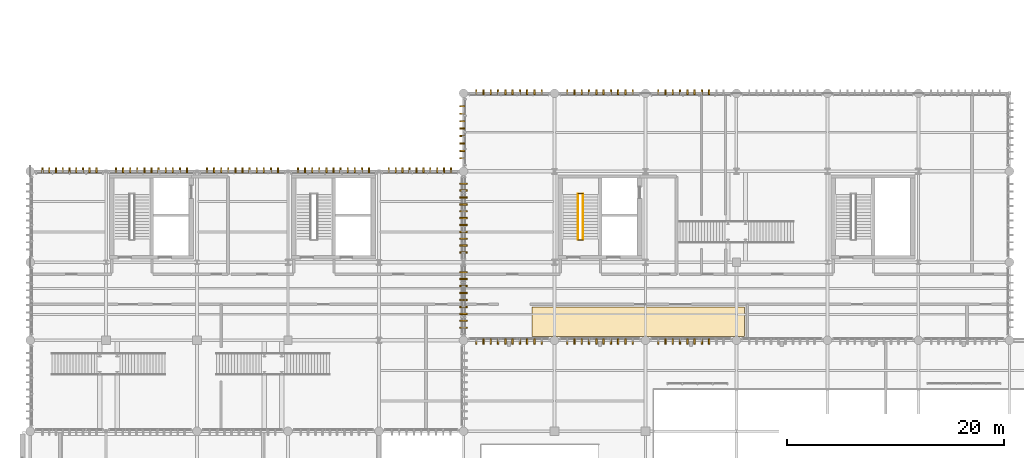
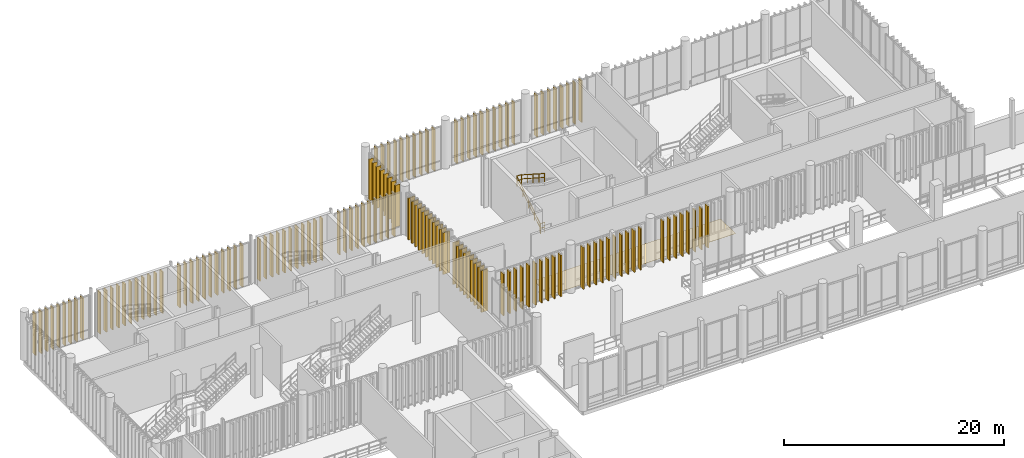
# One storey, part 121 of 128: 157 coverings, 4 railings.
"""IFC4 building model written with IfcOpenShell, lengths in metres."""

from ifc_helpers import new_model, si_unit, direction, frame, frame_2d, origin_with_axes, origin_2d_with_axis, place, context, subcontext, project, spatial, polyline, rectangle, circle, outline, extrude, material, type_object, element, save


model = new_model("IFC4")

# Units and contexts
model_context = context("Model", 3, precision=1e-05, world=origin_with_axes(), true_north=direction((0.0, 1.0)))
body_context = subcontext(model_context, "Body", "Model", "MODEL_VIEW")
ifc_project = project(units=[si_unit("LENGTHUNIT", "METRE"), si_unit("AREAUNIT", "SQUARE_METRE"), si_unit("VOLUMEUNIT", "CUBIC_METRE"), si_unit("PLANEANGLEUNIT", "RADIAN"), si_unit("MASSUNIT", "GRAM", prefix="KILO"), si_unit("THERMODYNAMICTEMPERATUREUNIT", "KELVIN")], contexts=[model_context])

# Site, building, storey
site_placement = place(None, origin_with_axes())
site = spatial("IfcSite", under=ifc_project, at=site_placement, CompositionType="ELEMENT")
building_placement = place(site_placement, origin_with_axes())
building = spatial("IfcBuilding", under=site, at=building_placement, Name="Montbau Bow Law Courts", CompositionType="ELEMENT")
storey_placement = place(building_placement, frame((0.0, 0.0, 5.4), z_axis=(0.0, 0.0, 1.0), x_axis=(1.0, 0.0, 0.0)))
storey = spatial("IfcBuildingStorey", under=building, at=storey_placement, Name="L01", CompositionType="ELEMENT", Elevation=5.4)

# Coverings
ifc_material_1 = material(Name="Honed Manitoba Tyndall Limestone Concourse Flooring", Category="masonry")
covering_type_1 = type_object("IfcCoveringType", Name="CV-FLR-01", PredefinedType="FLOORING", material=ifc_material_1)
covering_placement = place(None, frame((0.0, 0.0, 5.4), z_axis=(0.0, 0.0, 1.0), x_axis=(1.0, 0.0, 0.0)))
element("IfcCovering", 1, at=covering_placement, inside=storey, type_object=covering_type_1, Name="FLR-L01-04:cov_3539", PredefinedType="FLOORING", context=body_context, shape_type="SweptSolid", body=[
    extrude(outline(polyline([(53.11, 39.37), (53.11, 42.09), (72.759, 42.09), (72.759, 39.37), (53.11, 39.37)])), origin_with_axes(), (0.0, 0.0, 1.0), 0.025),
])
ifc_material_2 = material(Name="Freeze-Thaw Glazed Warm Cream Ceramic Vertical Louvre", Category="masonry")
covering_type_2 = type_object("IfcCoveringType", Name="CV-LVR-CRM", PredefinedType="CLADDING", material=ifc_material_2)
for number, where, z_axis, x_axis, name in (
    (2, (47.985, 39.13, 5.4), (-1.0, 0.0, 0.0), (0.0, -1.0, 0.0), "CLV-L01-1241:cov_1286"),
    (3, (48.655, 39.13, 5.4), (-1.0, 0.0, 0.0), (0.0, -1.0, 0.0), "CLV-L01-1242:cov_1287"),
    (4, (49.325, 39.13, 5.4), (-1.0, 0.0, 0.0), (0.0, -1.0, 0.0), "CLV-L01-1243:cov_1288"),
    (5, (49.995, 39.13, 5.4), (-1.0, 0.0, 0.0), (0.0, -1.0, 0.0), "CLV-L01-1244:cov_1289"),
    (6, (50.665, 39.13, 5.4), (-1.0, 0.0, 0.0), (0.0, -1.0, 0.0), "CLV-L01-1245:cov_1290"),
    (7, (51.335, 39.13, 5.4), (-1.0, 0.0, 0.0), (0.0, -1.0, 0.0), "CLV-L01-1246:cov_1291"),
    (8, (52.005, 39.13, 5.4), (-1.0, 0.0, 0.0), (0.0, -1.0, 0.0), "CLV-L01-1247:cov_1292"),
    (9, (52.675, 39.13, 5.4), (-1.0, 0.0, 0.0), (0.0, -1.0, 0.0), "CLV-L01-1248:cov_1293"),
    (10, (53.345, 39.13, 5.4), (-1.0, 0.0, 0.0), (0.0, -1.0, 0.0), "CLV-L01-1249:cov_1294"),
    (11, (54.015, 39.13, 5.4), (-1.0, 0.0, 0.0), (0.0, -1.0, 0.0), "CLV-L01-1250:cov_1295"),
    (12, (56.385, 39.13, 5.4), (-1.0, 0.0, 0.0), (0.0, -1.0, 0.0), "CLV-L01-1251:cov_1296"),
    (13, (57.055, 39.13, 5.4), (-1.0, 0.0, 0.0), (0.0, -1.0, 0.0), "CLV-L01-1252:cov_1297"),
    (14, (57.725, 39.13, 5.4), (-1.0, 0.0, 0.0), (0.0, -1.0, 0.0), "CLV-L01-1253:cov_1298"),
    (15, (58.395, 39.13, 5.4), (-1.0, 0.0, 0.0), (0.0, -1.0, 0.0), "CLV-L01-1254:cov_1299"),
    (16, (59.065, 39.13, 5.4), (-1.0, 0.0, 0.0), (0.0, -1.0, 0.0), "CLV-L01-1255:cov_1300"),
    (17, (59.735, 39.13, 5.4), (-1.0, 0.0, 0.0), (0.0, -1.0, 0.0), "CLV-L01-1256:cov_1301"),
    (18, (60.405, 39.13, 5.4), (-1.0, 0.0, 0.0), (0.0, -1.0, 0.0), "CLV-L01-1257:cov_1302"),
    (19, (61.075, 39.13, 5.4), (-1.0, 0.0, 0.0), (0.0, -1.0, 0.0), "CLV-L01-1258:cov_1303"),
    (20, (61.745, 39.13, 5.4), (-1.0, 0.0, 0.0), (0.0, -1.0, 0.0), "CLV-L01-1259:cov_1304"),
    (21, (62.415, 39.13, 5.4), (-1.0, 0.0, 0.0), (0.0, -1.0, 0.0), "CLV-L01-1260:cov_1305"),
    (22, (64.785, 39.13, 5.4), (-1.0, 0.0, 0.0), (0.0, -1.0, 0.0), "CLV-L01-1261:cov_1306"),
    (23, (65.455, 39.13, 5.4), (-1.0, 0.0, 0.0), (0.0, -1.0, 0.0), "CLV-L01-1262:cov_1307"),
    (24, (66.125, 39.13, 5.4), (-1.0, 0.0, 0.0), (0.0, -1.0, 0.0), "CLV-L01-1263:cov_1308"),
    (25, (66.795, 39.13, 5.4), (-1.0, 0.0, 0.0), (0.0, -1.0, 0.0), "CLV-L01-1264:cov_1309"),
    (26, (67.465, 39.13, 5.4), (-1.0, 0.0, 0.0), (0.0, -1.0, 0.0), "CLV-L01-1265:cov_1310"),
    (27, (68.135, 39.13, 5.4), (-1.0, 0.0, 0.0), (0.0, -1.0, 0.0), "CLV-L01-1266:cov_1311"),
    (28, (68.805, 39.13, 5.4), (-1.0, 0.0, 0.0), (0.0, -1.0, 0.0), "CLV-L01-1267:cov_1312"),
    (29, (69.475, 39.13, 5.4), (-1.0, 0.0, 0.0), (0.0, -1.0, 0.0), "CLV-L01-1268:cov_1313"),
    (30, (47.985, 61.67, 5.4), (1.0, 0.0, 0.0), (0.0, 1.0, 0.0), "CLV-L01-1301:cov_1346"),
    (31, (48.655, 61.67, 5.4), (1.0, 0.0, 0.0), (0.0, 1.0, 0.0), "CLV-L01-1302:cov_1347"),
    (32, (49.325, 61.67, 5.4), (1.0, 0.0, 0.0), (0.0, 1.0, 0.0), "CLV-L01-1303:cov_1348"),
    (33, (49.995, 61.67, 5.4), (1.0, 0.0, 0.0), (0.0, 1.0, 0.0), "CLV-L01-1304:cov_1349"),
    (34, (50.665, 61.67, 5.4), (1.0, 0.0, 0.0), (0.0, 1.0, 0.0), "CLV-L01-1305:cov_1350"),
    (35, (51.335, 61.67, 5.4), (1.0, 0.0, 0.0), (0.0, 1.0, 0.0), "CLV-L01-1306:cov_1351"),
    (36, (52.005, 61.67, 5.4), (1.0, 0.0, 0.0), (0.0, 1.0, 0.0), "CLV-L01-1307:cov_1352"),
    (37, (52.675, 61.67, 5.4), (1.0, 0.0, 0.0), (0.0, 1.0, 0.0), "CLV-L01-1308:cov_1353"),
    (38, (53.345, 61.67, 5.4), (1.0, 0.0, 0.0), (0.0, 1.0, 0.0), "CLV-L01-1309:cov_1354"),
    (39, (54.015, 61.67, 5.4), (1.0, 0.0, 0.0), (0.0, 1.0, 0.0), "CLV-L01-1310:cov_1355"),
    (40, (56.385, 61.67, 5.4), (1.0, 0.0, 0.0), (0.0, 1.0, 0.0), "CLV-L01-1311:cov_1356"),
    (41, (57.055, 61.67, 5.4), (1.0, 0.0, 0.0), (0.0, 1.0, 0.0), "CLV-L01-1312:cov_1357"),
    (42, (57.725, 61.67, 5.4), (1.0, 0.0, 0.0), (0.0, 1.0, 0.0), "CLV-L01-1313:cov_1358"),
    (43, (58.395, 61.67, 5.4), (1.0, 0.0, 0.0), (0.0, 1.0, 0.0), "CLV-L01-1314:cov_1359"),
    (44, (59.065, 61.67, 5.4), (1.0, 0.0, 0.0), (0.0, 1.0, 0.0), "CLV-L01-1315:cov_1360"),
    (45, (59.735, 61.67, 5.4), (1.0, 0.0, 0.0), (0.0, 1.0, 0.0), "CLV-L01-1316:cov_1361"),
    (46, (60.405, 61.67, 5.4), (1.0, 0.0, 0.0), (0.0, 1.0, 0.0), "CLV-L01-1317:cov_1362"),
    (47, (61.075, 61.67, 5.4), (1.0, 0.0, 0.0), (0.0, 1.0, 0.0), "CLV-L01-1318:cov_1363"),
    (48, (61.745, 61.67, 5.4), (1.0, 0.0, 0.0), (0.0, 1.0, 0.0), "CLV-L01-1319:cov_1364"),
    (49, (62.415, 61.67, 5.4), (1.0, 0.0, 0.0), (0.0, 1.0, 0.0), "CLV-L01-1320:cov_1365"),
    (50, (64.785, 61.67, 5.4), (1.0, 0.0, 0.0), (0.0, 1.0, 0.0), "CLV-L01-1321:cov_1366"),
    (51, (65.455, 61.67, 5.4), (1.0, 0.0, 0.0), (0.0, 1.0, 0.0), "CLV-L01-1322:cov_1367"),
    (52, (66.125, 61.67, 5.4), (1.0, 0.0, 0.0), (0.0, 1.0, 0.0), "CLV-L01-1323:cov_1368"),
    (53, (66.795, 61.67, 5.4), (1.0, 0.0, 0.0), (0.0, 1.0, 0.0), "CLV-L01-1324:cov_1369"),
    (54, (67.465, 61.67, 5.4), (1.0, 0.0, 0.0), (0.0, 1.0, 0.0), "CLV-L01-1325:cov_1370"),
    (55, (68.135, 61.67, 5.4), (1.0, 0.0, 0.0), (0.0, 1.0, 0.0), "CLV-L01-1326:cov_1371"),
    (56, (68.805, 61.67, 5.4), (1.0, 0.0, 0.0), (0.0, 1.0, 0.0), "CLV-L01-1327:cov_1372"),
    (57, (69.475, 61.67, 5.4), (1.0, 0.0, 0.0), (0.0, 1.0, 0.0), "CLV-L01-1328:cov_1373"),
    (58, (46.93, 40.157, 5.4), (0.0, 1.0, 0.0), (-1.0, 0.0, 0.0), "CLV-L01-1362:cov_1407"),
    (59, (46.93, 40.798, 5.4), (0.0, 1.0, 0.0), (-1.0, 0.0, 0.0), "CLV-L01-1363:cov_1408"),
    (60, (46.93, 41.44, 5.4), (0.0, 1.0, 0.0), (-1.0, 0.0, 0.0), "CLV-L01-1364:cov_1409"),
    (61, (46.93, 42.082, 5.4), (0.0, 1.0, 0.0), (-1.0, 0.0, 0.0), "CLV-L01-1365:cov_1410"),
    (62, (46.93, 42.724, 5.4), (0.0, 1.0, 0.0), (-1.0, 0.0, 0.0), "CLV-L01-1366:cov_1411"),
    (63, (46.93, 43.365, 5.4), (0.0, 1.0, 0.0), (-1.0, 0.0, 0.0), "CLV-L01-1367:cov_1412"),
    (64, (46.93, 44.007, 5.4), (0.0, 1.0, 0.0), (-1.0, 0.0, 0.0), "CLV-L01-1368:cov_1413"),
    (65, (46.93, 44.649, 5.4), (0.0, 1.0, 0.0), (-1.0, 0.0, 0.0), "CLV-L01-1369:cov_1414"),
    (66, (46.93, 45.29, 5.4), (0.0, 1.0, 0.0), (-1.0, 0.0, 0.0), "CLV-L01-1370:cov_1415"),
    (67, (46.93, 47.103, 5.4), (0.0, 1.0, 0.0), (-1.0, 0.0, 0.0), "CLV-L01-1371:cov_1416"),
    (68, (46.93, 47.737, 5.4), (0.0, 1.0, 0.0), (-1.0, 0.0, 0.0), "CLV-L01-1372:cov_1417"),
    (69, (46.93, 48.372, 5.4), (0.0, 1.0, 0.0), (-1.0, 0.0, 0.0), "CLV-L01-1373:cov_1418"),
    (70, (46.93, 49.007, 5.4), (0.0, 1.0, 0.0), (-1.0, 0.0, 0.0), "CLV-L01-1374:cov_1419"),
    (71, (46.93, 49.642, 5.4), (0.0, 1.0, 0.0), (-1.0, 0.0, 0.0), "CLV-L01-1375:cov_1420"),
    (72, (46.93, 50.276, 5.4), (0.0, 1.0, 0.0), (-1.0, 0.0, 0.0), "CLV-L01-1376:cov_1421"),
    (73, (46.93, 50.911, 5.4), (0.0, 1.0, 0.0), (-1.0, 0.0, 0.0), "CLV-L01-1377:cov_1422"),
    (74, (46.93, 51.546, 5.4), (0.0, 1.0, 0.0), (-1.0, 0.0, 0.0), "CLV-L01-1378:cov_1423"),
    (75, (46.93, 52.181, 5.4), (0.0, 1.0, 0.0), (-1.0, 0.0, 0.0), "CLV-L01-1379:cov_1424"),
    (76, (46.93, 52.815, 5.4), (0.0, 1.0, 0.0), (-1.0, 0.0, 0.0), "CLV-L01-1380:cov_1425"),
    (77, (46.93, 53.45, 5.4), (0.0, 1.0, 0.0), (-1.0, 0.0, 0.0), "CLV-L01-1381:cov_1426"),
    (78, (46.93, 55.801, 5.4), (0.0, 1.0, 0.0), (-1.0, 0.0, 0.0), "CLV-L01-1382:cov_1427"),
    (79, (46.93, 56.486, 5.4), (0.0, 1.0, 0.0), (-1.0, 0.0, 0.0), "CLV-L01-1383:cov_1428"),
    (80, (46.93, 57.172, 5.4), (0.0, 1.0, 0.0), (-1.0, 0.0, 0.0), "CLV-L01-1384:cov_1429"),
    (81, (46.93, 57.857, 5.4), (0.0, 1.0, 0.0), (-1.0, 0.0, 0.0), "CLV-L01-1385:cov_1430"),
    (82, (46.93, 58.543, 5.4), (0.0, 1.0, 0.0), (-1.0, 0.0, 0.0), "CLV-L01-1386:cov_1431"),
    (83, (46.93, 59.228, 5.4), (0.0, 1.0, 0.0), (-1.0, 0.0, 0.0), "CLV-L01-1387:cov_1432"),
    (84, (46.93, 59.914, 5.4), (0.0, 1.0, 0.0), (-1.0, 0.0, 0.0), "CLV-L01-1388:cov_1433"),
    (85, (46.93, 60.599, 5.4), (0.0, 1.0, 0.0), (-1.0, 0.0, 0.0), "CLV-L01-1389:cov_1434"),
):
    element("IfcCovering", number, at=place(None, frame(where, z_axis=z_axis, x_axis=x_axis)), inside=storey, type_object=covering_type_2, Name=name, PredefinedType="CLADDING", context=body_context, shape_type="SweptSolid", body=[
        extrude(rectangle(XDim=0.48, YDim=4.64, at=frame_2d((0.24, 2.32), x_axis=(1.0, 0.0))), frame((0.0, 0.0, -0.06), z_axis=(0.0, 0.0, 1.0), x_axis=(1.0, 0.0, 0.0)), (0.0, 0.0, 1.0), 0.12),
    ])
ifc_material_3 = material(Name="Freeze-Thaw Glazed Terracotta-Red Ceramic Vertical Louvre", Category="masonry")
covering_type_3 = type_object("IfcCoveringType", Name="CV-LVR-RED", PredefinedType="CLADDING", material=ifc_material_3)
for number, where, z_axis, x_axis, name in (
    (86, (7.937, 54.47, 5.4), (1.0, 0.0, 0.0), (0.0, 1.0, 0.0), "CLV-L01-0200:cov_0245"),
    (87, (8.559, 54.47, 5.4), (1.0, 0.0, 0.0), (0.0, 1.0, 0.0), "CLV-L01-0201:cov_0246"),
    (88, (9.18, 54.47, 5.4), (1.0, 0.0, 0.0), (0.0, 1.0, 0.0), "CLV-L01-0202:cov_0247"),
    (89, (9.802, 54.47, 5.4), (1.0, 0.0, 0.0), (0.0, 1.0, 0.0), "CLV-L01-0203:cov_0248"),
    (90, (10.424, 54.47, 5.4), (1.0, 0.0, 0.0), (0.0, 1.0, 0.0), "CLV-L01-0204:cov_0249"),
    (91, (11.046, 54.47, 5.4), (1.0, 0.0, 0.0), (0.0, 1.0, 0.0), "CLV-L01-0205:cov_0250"),
    (92, (11.668, 54.47, 5.4), (1.0, 0.0, 0.0), (0.0, 1.0, 0.0), "CLV-L01-0206:cov_0251"),
    (93, (12.289, 54.47, 5.4), (1.0, 0.0, 0.0), (0.0, 1.0, 0.0), "CLV-L01-0207:cov_0252"),
    (94, (12.911, 54.47, 5.4), (1.0, 0.0, 0.0), (0.0, 1.0, 0.0), "CLV-L01-0208:cov_0253"),
    (95, (14.723, 54.47, 5.4), (1.0, 0.0, 0.0), (0.0, 1.0, 0.0), "CLV-L01-0209:cov_0254"),
    (96, (15.379, 54.47, 5.4), (1.0, 0.0, 0.0), (0.0, 1.0, 0.0), "CLV-L01-0210:cov_0255"),
    (97, (16.034, 54.47, 5.4), (1.0, 0.0, 0.0), (0.0, 1.0, 0.0), "CLV-L01-0211:cov_0256"),
    (98, (16.69, 54.47, 5.4), (1.0, 0.0, 0.0), (0.0, 1.0, 0.0), "CLV-L01-0212:cov_0257"),
    (99, (17.345, 54.47, 5.4), (1.0, 0.0, 0.0), (0.0, 1.0, 0.0), "CLV-L01-0213:cov_0258"),
    (100, (18.001, 54.47, 5.4), (1.0, 0.0, 0.0), (0.0, 1.0, 0.0), "CLV-L01-0214:cov_0259"),
    (101, (18.656, 54.47, 5.4), (1.0, 0.0, 0.0), (0.0, 1.0, 0.0), "CLV-L01-0215:cov_0260"),
    (102, (19.311, 54.47, 5.4), (1.0, 0.0, 0.0), (0.0, 1.0, 0.0), "CLV-L01-0216:cov_0261"),
    (103, (19.967, 54.47, 5.4), (1.0, 0.0, 0.0), (0.0, 1.0, 0.0), "CLV-L01-0217:cov_0262"),
    (104, (20.622, 54.47, 5.4), (1.0, 0.0, 0.0), (0.0, 1.0, 0.0), "CLV-L01-0218:cov_0263"),
    (105, (21.278, 54.47, 5.4), (1.0, 0.0, 0.0), (0.0, 1.0, 0.0), "CLV-L01-0219:cov_0264"),
    (106, (23.122, 54.47, 5.4), (1.0, 0.0, 0.0), (0.0, 1.0, 0.0), "CLV-L01-0220:cov_0265"),
    (107, (23.778, 54.47, 5.4), (1.0, 0.0, 0.0), (0.0, 1.0, 0.0), "CLV-L01-0221:cov_0266"),
    (108, (24.433, 54.47, 5.4), (1.0, 0.0, 0.0), (0.0, 1.0, 0.0), "CLV-L01-0222:cov_0267"),
    (109, (25.089, 54.47, 5.4), (1.0, 0.0, 0.0), (0.0, 1.0, 0.0), "CLV-L01-0223:cov_0268"),
    (110, (25.744, 54.47, 5.4), (1.0, 0.0, 0.0), (0.0, 1.0, 0.0), "CLV-L01-0224:cov_0269"),
    (111, (26.4, 54.47, 5.4), (1.0, 0.0, 0.0), (0.0, 1.0, 0.0), "CLV-L01-0225:cov_0270"),
    (112, (27.055, 54.47, 5.4), (1.0, 0.0, 0.0), (0.0, 1.0, 0.0), "CLV-L01-0226:cov_0271"),
    (113, (27.711, 54.47, 5.4), (1.0, 0.0, 0.0), (0.0, 1.0, 0.0), "CLV-L01-0227:cov_0272"),
    (114, (28.366, 54.47, 5.4), (1.0, 0.0, 0.0), (0.0, 1.0, 0.0), "CLV-L01-0228:cov_0273"),
    (115, (29.022, 54.47, 5.4), (1.0, 0.0, 0.0), (0.0, 1.0, 0.0), "CLV-L01-0229:cov_0274"),
    (116, (29.677, 54.47, 5.4), (1.0, 0.0, 0.0), (0.0, 1.0, 0.0), "CLV-L01-0230:cov_0275"),
    (117, (31.522, 54.47, 5.4), (1.0, 0.0, 0.0), (0.0, 1.0, 0.0), "CLV-L01-0231:cov_0276"),
    (118, (32.178, 54.47, 5.4), (1.0, 0.0, 0.0), (0.0, 1.0, 0.0), "CLV-L01-0232:cov_0277"),
    (119, (32.833, 54.47, 5.4), (1.0, 0.0, 0.0), (0.0, 1.0, 0.0), "CLV-L01-0233:cov_0278"),
    (120, (33.489, 54.47, 5.4), (1.0, 0.0, 0.0), (0.0, 1.0, 0.0), "CLV-L01-0234:cov_0279"),
    (121, (34.144, 54.47, 5.4), (1.0, 0.0, 0.0), (0.0, 1.0, 0.0), "CLV-L01-0235:cov_0280"),
    (122, (34.799, 54.47, 5.4), (1.0, 0.0, 0.0), (0.0, 1.0, 0.0), "CLV-L01-0236:cov_0281"),
    (123, (35.455, 54.47, 5.4), (1.0, 0.0, 0.0), (0.0, 1.0, 0.0), "CLV-L01-0237:cov_0282"),
    (124, (36.11, 54.47, 5.4), (1.0, 0.0, 0.0), (0.0, 1.0, 0.0), "CLV-L01-0238:cov_0283"),
    (125, (36.766, 54.47, 5.4), (1.0, 0.0, 0.0), (0.0, 1.0, 0.0), "CLV-L01-0239:cov_0284"),
    (126, (37.421, 54.47, 5.4), (1.0, 0.0, 0.0), (0.0, 1.0, 0.0), "CLV-L01-0240:cov_0285"),
    (127, (38.077, 54.47, 5.4), (1.0, 0.0, 0.0), (0.0, 1.0, 0.0), "CLV-L01-0241:cov_0286"),
    (128, (39.906, 54.47, 5.4), (1.0, 0.0, 0.0), (0.0, 1.0, 0.0), "CLV-L01-0242:cov_0287"),
    (129, (40.544, 54.47, 5.4), (1.0, 0.0, 0.0), (0.0, 1.0, 0.0), "CLV-L01-0243:cov_0288"),
    (130, (41.182, 54.47, 5.4), (1.0, 0.0, 0.0), (0.0, 1.0, 0.0), "CLV-L01-0244:cov_0289"),
    (131, (41.82, 54.47, 5.4), (1.0, 0.0, 0.0), (0.0, 1.0, 0.0), "CLV-L01-0245:cov_0290"),
    (132, (42.458, 54.47, 5.4), (1.0, 0.0, 0.0), (0.0, 1.0, 0.0), "CLV-L01-0246:cov_0291"),
    (133, (43.095, 54.47, 5.4), (1.0, 0.0, 0.0), (0.0, 1.0, 0.0), "CLV-L01-0247:cov_0292"),
    (134, (43.733, 54.47, 5.4), (1.0, 0.0, 0.0), (0.0, 1.0, 0.0), "CLV-L01-0248:cov_0293"),
    (135, (44.371, 54.47, 5.4), (1.0, 0.0, 0.0), (0.0, 1.0, 0.0), "CLV-L01-0249:cov_0294"),
    (136, (45.009, 54.47, 5.4), (1.0, 0.0, 0.0), (0.0, 1.0, 0.0), "CLV-L01-0250:cov_0295"),
    (137, (45.647, 54.47, 5.4), (1.0, 0.0, 0.0), (0.0, 1.0, 0.0), "CLV-L01-0251:cov_0296"),
    (138, (46.67, 40.157, 5.4), (0.0, -1.0, 0.0), (1.0, 0.0, 0.0), "CLV-L01-0290:cov_0335"),
    (139, (46.67, 40.798, 5.4), (0.0, -1.0, 0.0), (1.0, 0.0, 0.0), "CLV-L01-0291:cov_0336"),
    (140, (46.67, 41.44, 5.4), (0.0, -1.0, 0.0), (1.0, 0.0, 0.0), "CLV-L01-0292:cov_0337"),
    (141, (46.67, 42.082, 5.4), (0.0, -1.0, 0.0), (1.0, 0.0, 0.0), "CLV-L01-0293:cov_0338"),
    (142, (46.67, 42.724, 5.4), (0.0, -1.0, 0.0), (1.0, 0.0, 0.0), "CLV-L01-0294:cov_0339"),
    (143, (46.67, 43.365, 5.4), (0.0, -1.0, 0.0), (1.0, 0.0, 0.0), "CLV-L01-0295:cov_0340"),
    (144, (46.67, 44.007, 5.4), (0.0, -1.0, 0.0), (1.0, 0.0, 0.0), "CLV-L01-0296:cov_0341"),
    (145, (46.67, 44.649, 5.4), (0.0, -1.0, 0.0), (1.0, 0.0, 0.0), "CLV-L01-0297:cov_0342"),
    (146, (46.67, 45.29, 5.4), (0.0, -1.0, 0.0), (1.0, 0.0, 0.0), "CLV-L01-0298:cov_0343"),
    (147, (46.67, 47.103, 5.4), (0.0, -1.0, 0.0), (1.0, 0.0, 0.0), "CLV-L01-0299:cov_0344"),
    (148, (46.67, 47.737, 5.4), (0.0, -1.0, 0.0), (1.0, 0.0, 0.0), "CLV-L01-0300:cov_0345"),
    (149, (46.67, 48.372, 5.4), (0.0, -1.0, 0.0), (1.0, 0.0, 0.0), "CLV-L01-0301:cov_0346"),
    (150, (46.67, 49.007, 5.4), (0.0, -1.0, 0.0), (1.0, 0.0, 0.0), "CLV-L01-0302:cov_0347"),
    (151, (46.67, 49.642, 5.4), (0.0, -1.0, 0.0), (1.0, 0.0, 0.0), "CLV-L01-0303:cov_0348"),
    (152, (46.67, 50.276, 5.4), (0.0, -1.0, 0.0), (1.0, 0.0, 0.0), "CLV-L01-0304:cov_0349"),
    (153, (46.67, 50.911, 5.4), (0.0, -1.0, 0.0), (1.0, 0.0, 0.0), "CLV-L01-0305:cov_0350"),
    (154, (46.67, 51.546, 5.4), (0.0, -1.0, 0.0), (1.0, 0.0, 0.0), "CLV-L01-0306:cov_0351"),
    (155, (46.67, 52.181, 5.4), (0.0, -1.0, 0.0), (1.0, 0.0, 0.0), "CLV-L01-0307:cov_0352"),
    (156, (46.67, 52.815, 5.4), (0.0, -1.0, 0.0), (1.0, 0.0, 0.0), "CLV-L01-0308:cov_0353"),
    (157, (46.67, 53.45, 5.4), (0.0, -1.0, 0.0), (1.0, 0.0, 0.0), "CLV-L01-0309:cov_0354"),
):
    element("IfcCovering", number, at=place(None, frame(where, z_axis=z_axis, x_axis=x_axis)), inside=storey, type_object=covering_type_3, Name=name, PredefinedType="CLADDING", context=body_context, shape_type="SweptSolid", body=[
        extrude(rectangle(XDim=0.48, YDim=4.64, at=frame_2d((0.24, 2.32), x_axis=(1.0, 0.0))), frame((0.0, 0.0, -0.06), z_axis=(0.0, 0.0, 1.0), x_axis=(1.0, 0.0, 0.0)), (0.0, 0.0, 1.0), 0.12),
    ])

# Railings
ifc_material_4 = material(Name="Architectural Bronze-Finished Steel Stair Guard", Category="steel")
railing_type_1 = type_object("IfcRailingType", Name="RL-GRD-1100", PredefinedType="GUARDRAIL", material=ifc_material_4)
railing_1_placement = place(None, origin_with_axes())
element("IfcRailing", 158, at=railing_1_placement, inside=storey, type_object=railing_type_1, Name="SG-ST-P4-L01-ML:rlg_0104", PredefinedType="GUARDRAIL", context=body_context, shape_type="SweptSolid", body=[
    extrude(circle(Radius=0.0225, at=origin_2d_with_axis()), frame((57.37, 52.53, 9.202), z_axis=(1.0, 0.0, 0.0), x_axis=(0.0, 0.0, 1.0)), (0.0, 0.0, 1.0), 0.47),
    extrude(circle(Radius=0.02025, at=origin_2d_with_axis()), frame((57.37, 52.53, 8.672), z_axis=(1.0, 0.0, 0.0), x_axis=(0.0, 0.0, 1.0)), (0.0, 0.0, 1.0), 0.47),
    extrude(circle(Radius=0.02025, at=origin_2d_with_axis()), frame((57.37, 52.53, 8.1), z_axis=(0.0, 0.0, 1.0), x_axis=(1.0, 0.0, 0.0)), (0.0, 0.0, 1.0), 1.07525),
    extrude(circle(Radius=0.02025, at=origin_2d_with_axis()), frame((57.84, 52.53, 8.1), z_axis=(0.0, 0.0, 1.0), x_axis=(1.0, 0.0, 0.0)), (0.0, 0.0, 1.0), 1.07525),
])
railing_2_placement = place(None, origin_with_axes())
element("IfcRailing", 159, at=railing_2_placement, inside=storey, type_object=railing_type_1, Name="SG-ST-P4-L01-BL:rlg_0105", PredefinedType="GUARDRAIL", context=body_context, shape_type="SweptSolid", body=[
    extrude(circle(Radius=0.0225, at=origin_2d_with_axis()), frame((57.37, 48.27, 6.502), z_axis=(1.0, 0.0, 0.0), x_axis=(0.0, 0.0, 1.0)), (0.0, 0.0, 1.0), 0.47),
    extrude(circle(Radius=0.02025, at=origin_2d_with_axis()), frame((57.37, 48.27, 5.972), z_axis=(1.0, 0.0, 0.0), x_axis=(0.0, 0.0, 1.0)), (0.0, 0.0, 1.0), 0.47),
    extrude(circle(Radius=0.02025, at=origin_2d_with_axis()), frame((57.37, 48.27, 5.4), z_axis=(0.0, 0.0, 1.0), x_axis=(1.0, 0.0, 0.0)), (0.0, 0.0, 1.0), 1.07525),
    extrude(circle(Radius=0.02025, at=origin_2d_with_axis()), frame((57.84, 48.27, 5.4), z_axis=(0.0, 0.0, 1.0), x_axis=(1.0, 0.0, 0.0)), (0.0, 0.0, 1.0), 1.07525),
])
ifc_material_5 = material(Name="White-Oak and Stainless Continuous Stair Handrail", Category="steel")
railing_type_2 = type_object("IfcRailingType", Name="RL-HND-0920", PredefinedType="HANDRAIL", material=ifc_material_5)
railing_3_placement = place(None, origin_with_axes())
element("IfcRailing", 160, at=railing_3_placement, inside=storey, type_object=railing_type_2, Name="HR-ST-P4-L01-1:rlg_0106", PredefinedType="HANDRAIL", context=body_context, shape_type="SweptSolid", body=[
    extrude(circle(Radius=0.021, at=origin_2d_with_axis()), frame((57.37, 48.3, 6.502), z_axis=(0.0, 0.841178475, 0.540757591), x_axis=(0.0, -0.540757591, 0.841178475)), (0.0, 0.0, 1.0), 4.992995),
    extrude(circle(Radius=0.0189, at=origin_2d_with_axis()), frame((57.37, 48.3, 6.0584), z_axis=(0.0, 0.841178475, 0.540757591), x_axis=(0.0, -0.540757591, 0.841178475)), (0.0, 0.0, 1.0), 4.992995),
    extrude(circle(Radius=0.0189, at=origin_2d_with_axis()), frame((57.37, 48.3, 5.58), z_axis=(0.0, 0.0, 1.0), x_axis=(1.0, 0.0, 0.0)), (0.0, 0.0, 1.0), 0.8969),
    extrude(circle(Radius=0.0189, at=origin_2d_with_axis()), frame((57.37, 49.35, 6.255), z_axis=(0.0, 0.0, 1.0), x_axis=(1.0, 0.0, 0.0)), (0.0, 0.0, 1.0), 0.8969),
    extrude(circle(Radius=0.0189, at=origin_2d_with_axis()), frame((57.37, 50.4, 6.93), z_axis=(0.0, 0.0, 1.0), x_axis=(1.0, 0.0, 0.0)), (0.0, 0.0, 1.0), 0.8969),
    extrude(circle(Radius=0.0189, at=origin_2d_with_axis()), frame((57.37, 51.45, 7.605), z_axis=(0.0, 0.0, 1.0), x_axis=(1.0, 0.0, 0.0)), (0.0, 0.0, 1.0), 0.8969),
    extrude(circle(Radius=0.0189, at=origin_2d_with_axis()), frame((57.37, 52.5, 8.28), z_axis=(0.0, 0.0, 1.0), x_axis=(1.0, 0.0, 0.0)), (0.0, 0.0, 1.0), 0.8969),
])
railing_4_placement = place(None, origin_with_axes())
element("IfcRailing", 161, at=railing_4_placement, inside=storey, type_object=railing_type_2, Name="HR-ST-P4-L01-2:rlg_0107", PredefinedType="HANDRAIL", context=body_context, shape_type="SweptSolid", body=[
    extrude(circle(Radius=0.021, at=origin_2d_with_axis()), frame((57.84, 52.5, 9.202), z_axis=(0.0, -0.841178475, 0.540757591), x_axis=(0.0, 0.540757591, 0.841178475)), (0.0, 0.0, 1.0), 4.992995),
    extrude(circle(Radius=0.0189, at=origin_2d_with_axis()), frame((57.84, 52.5, 8.7584), z_axis=(0.0, -0.841178475, 0.540757591), x_axis=(0.0, 0.540757591, 0.841178475)), (0.0, 0.0, 1.0), 4.992995),
    extrude(circle(Radius=0.0189, at=origin_2d_with_axis()), frame((57.84, 52.5, 8.28), z_axis=(0.0, 0.0, 1.0), x_axis=(1.0, 0.0, 0.0)), (0.0, 0.0, 1.0), 0.8969),
    extrude(circle(Radius=0.0189, at=origin_2d_with_axis()), frame((57.84, 51.45, 8.955), z_axis=(0.0, 0.0, 1.0), x_axis=(1.0, 0.0, 0.0)), (0.0, 0.0, 1.0), 0.8969),
    extrude(circle(Radius=0.0189, at=origin_2d_with_axis()), frame((57.84, 50.4, 9.63), z_axis=(0.0, 0.0, 1.0), x_axis=(1.0, 0.0, 0.0)), (0.0, 0.0, 1.0), 0.8969),
    extrude(circle(Radius=0.0189, at=origin_2d_with_axis()), frame((57.84, 49.35, 10.305), z_axis=(0.0, 0.0, 1.0), x_axis=(1.0, 0.0, 0.0)), (0.0, 0.0, 1.0), 0.8969),
    extrude(circle(Radius=0.0189, at=origin_2d_with_axis()), frame((57.84, 48.3, 10.98), z_axis=(0.0, 0.0, 1.0), x_axis=(1.0, 0.0, 0.0)), (0.0, 0.0, 1.0), 0.8969),
])

save(model, "model.ifc")
